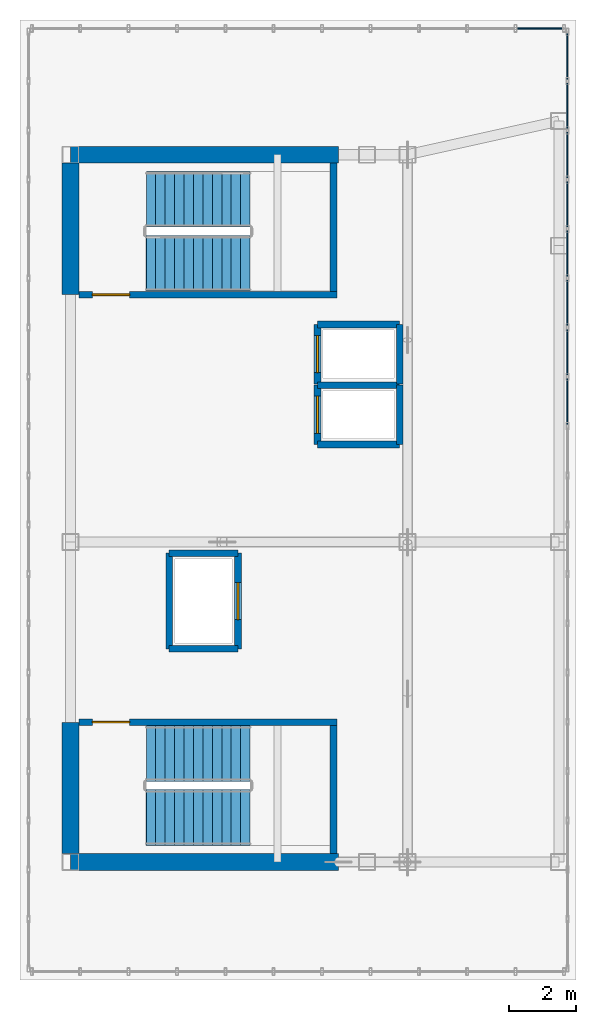
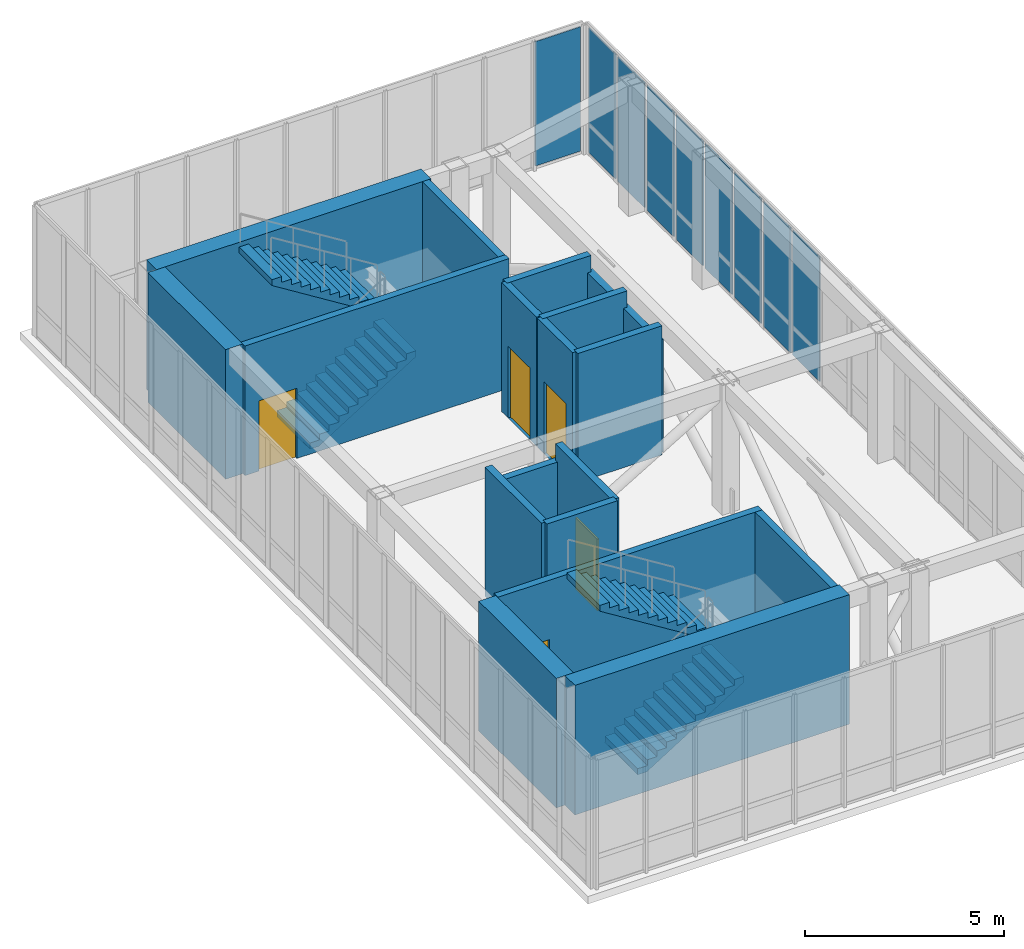
# One storey, part 12 of 13: 19 walls, 9 plates, 5 doors, 4 stair flights, 5 openings, 4 elements without a shape of their own.
"""IFC4 building model written with IfcOpenShell, lengths in metres."""

from ifc_helpers import new_model, si_unit, direction, frame, frame_2d, origin, origin_2d, place, context, subcontext, project, spatial, polyline, rectangle, outline, extrude, source, transform, mapped, material, layer, layer_set, type_object, element, fill, aggregate, save


model = new_model("IFC4")

# Units and contexts
model_context = context("Model", 3, precision=1e-05, world=origin(), true_north=direction((0.0, 1.0)))
body_context = subcontext(model_context, "Body", "Model", "MODEL_VIEW")
ifc_project = project(units=[si_unit("LENGTHUNIT", "METRE"), si_unit("AREAUNIT", "SQUARE_METRE"), si_unit("VOLUMEUNIT", "CUBIC_METRE"), si_unit("PLANEANGLEUNIT", "RADIAN"), si_unit("MASSUNIT", "GRAM", prefix="KILO")], contexts=[model_context])

# Site, building, storey
site_placement = place(None, origin())
site = spatial("IfcSite", under=ifc_project, at=site_placement, CompositionType="ELEMENT")
building_placement = place(site_placement, origin())
building = spatial("IfcBuilding", under=site, at=building_placement, Name="Kharzan Plaza Tower", CompositionType="ELEMENT")
storey_placement = place(building_placement, frame((0.0, 0.0, 294.0)))
storey = spatial("IfcBuildingStorey", under=building, at=storey_placement, Name="L79-CROWN", CompositionType="ELEMENT", Elevation=294.0)

# Curtain wall, plate
ifc_material_1 = material(Name="Unitised Bronze-Anodized Aluminium and Low-E Glass", Category="aluminium")
ifc_layer_1 = layer(ifc_material_1, 0.199951171875)
ifc_layer_set_1 = layer_set([ifc_layer_1], Name="Unitised Bronze-Anodized Aluminium and Low-E Glass")
curtain_wall_type = type_object("IfcCurtainWallType", Name="CW-LANTERN-6", PredefinedType="NOTDEFINED", material=ifc_layer_set_1)
curtain_wall_1_placement = place(storey_placement, origin())
curtain_wall_1 = element("IfcCurtainWall", 1, at=curtain_wall_1_placement, inside=storey, type_object=curtain_wall_type, Name="L79-CROWN Lantern Crown Illuminated Curtain Wall 3", PredefinedType="NOTDEFINED")
ifc_material_2 = material(Name="Low-Iron Fritted Lantern Crown Glazing", Category="glass")
ifc_layer_2 = layer(ifc_material_2, 0.035888671875)
ifc_layer_set_2 = layer_set([ifc_layer_2], Name="Low-Iron Fritted Lantern Crown Glazing")
plate_type = type_object("IfcPlateType", Name="PLT-CW-LANTERN", PredefinedType="CURTAIN_PANEL", material=ifc_layer_set_2)
shared_shape_1 = source(origin(), body_context, "Body", "SweptSolid", [
    extrude(rectangle(XDim=1.31640625, YDim=0.035888671875, at=origin_2d()), origin(), (0.0, 0.0, 1.0), 3.81005859375),
])
plate_1_placement = place(storey_placement, frame((18.431884765625, 33.25, 0.080078125), z_axis=(0.0, 0.0, 1.0), x_axis=(-1.0, 0.0, 0.0)))
plate_1 = element("IfcPlate", 2, at=plate_1_placement, type_object=plate_type, Name="L79-CROWN Curtain-Wall Glazed Panel 00", PredefinedType="CURTAIN_PANEL", context=body_context, shape_type="MappedRepresentation", body=[
    mapped(shared_shape_1, transform((0.0, 0.0, 0.0), x_axis=(1.0, 0.0, 0.0), y_axis=(0.0, 1.0, 0.0), z_axis=(0.0, 0.0, 1.0))),
])
aggregate(curtain_wall_1, [plate_1])

# Curtain wall, plates
curtain_wall_2_placement = place(storey_placement, origin())
curtain_wall_2 = element("IfcCurtainWall", 3, at=curtain_wall_2_placement, inside=storey, type_object=curtain_wall_type, Name="L79-CROWN Lantern Crown Illuminated Curtain Wall 2", PredefinedType="NOTDEFINED")
shared_shape_2 = source(origin(), body_context, "Body", "SweptSolid", [
    extrude(rectangle(XDim=1.34326171875, YDim=0.035888671875, at=origin_2d()), origin(), (0.0, 0.0, 1.0), 3.81005859375),
])
plate_2_placement = place(storey_placement, frame((19.25, 22.17626953125, 0.080078125), z_axis=(0.0, 0.0, 1.0), x_axis=(0.0, 1.0, 0.0)))
plate_2 = element("IfcPlate", 4, at=plate_2_placement, type_object=plate_type, Name="L79-CROWN Curtain-Wall Glazed Panel 11", PredefinedType="CURTAIN_PANEL", context=body_context, shape_type="MappedRepresentation", body=[
    mapped(shared_shape_2, transform((0.0, 0.0, 0.0), x_axis=(1.0, 0.0, 0.0), y_axis=(0.0, 1.0, 0.0), z_axis=(0.0, 0.0, 1.0))),
])
plate_3_placement = place(storey_placement, frame((19.25, 23.639404296875, 0.080078125), z_axis=(0.0, 0.0, 1.0), x_axis=(0.0, 1.0, 0.0)))
plate_3 = element("IfcPlate", 5, at=plate_3_placement, type_object=plate_type, Name="L79-CROWN Curtain-Wall Glazed Panel 12", PredefinedType="CURTAIN_PANEL", context=body_context, shape_type="MappedRepresentation", body=[
    mapped(shared_shape_2, transform((0.0, 0.0, 0.0), x_axis=(1.0, 0.0, 0.0), y_axis=(0.0, 1.0, 0.0), z_axis=(0.0, 0.0, 1.0))),
])
plate_4_placement = place(storey_placement, frame((19.25, 25.1025390625, 0.080078125), z_axis=(0.0, 0.0, 1.0), x_axis=(0.0, 1.0, 0.0)))
plate_4 = element("IfcPlate", 6, at=plate_4_placement, type_object=plate_type, Name="L79-CROWN Curtain-Wall Glazed Panel 13", PredefinedType="CURTAIN_PANEL", context=body_context, shape_type="MappedRepresentation", body=[
    mapped(shared_shape_2, transform((0.0, 0.0, 0.0), x_axis=(1.0, 0.0, 0.0), y_axis=(0.0, 1.0, 0.0), z_axis=(0.0, 0.0, 1.0))),
])
plate_5_placement = place(storey_placement, frame((19.25, 26.56591796875, 0.080078125), z_axis=(0.0, 0.0, 1.0), x_axis=(0.0, 1.0, 0.0)))
plate_5 = element("IfcPlate", 7, at=plate_5_placement, type_object=plate_type, Name="L79-CROWN Curtain-Wall Glazed Panel 14", PredefinedType="CURTAIN_PANEL", context=body_context, shape_type="MappedRepresentation", body=[
    mapped(shared_shape_2, transform((0.0, 0.0, 0.0), x_axis=(1.0, 0.0, 0.0), y_axis=(0.0, 1.0, 0.0), z_axis=(0.0, 0.0, 1.0))),
])
plate_6_placement = place(storey_placement, frame((19.25, 28.02880859375, 0.080078125), z_axis=(0.0, 0.0, 1.0), x_axis=(0.0, 1.0, 0.0)))
plate_6 = element("IfcPlate", 8, at=plate_6_placement, type_object=plate_type, Name="L79-CROWN Curtain-Wall Glazed Panel 15", PredefinedType="CURTAIN_PANEL", context=body_context, shape_type="MappedRepresentation", body=[
    mapped(shared_shape_2, transform((0.0, 0.0, 0.0), x_axis=(1.0, 0.0, 0.0), y_axis=(0.0, 1.0, 0.0), z_axis=(0.0, 0.0, 1.0))),
])
plate_7_placement = place(storey_placement, frame((19.25, 29.4921875, 0.080078125), z_axis=(0.0, 0.0, 1.0), x_axis=(0.0, 1.0, 0.0)))
plate_7 = element("IfcPlate", 9, at=plate_7_placement, type_object=plate_type, Name="L79-CROWN Curtain-Wall Glazed Panel 16", PredefinedType="CURTAIN_PANEL", context=body_context, shape_type="MappedRepresentation", body=[
    mapped(shared_shape_2, transform((0.0, 0.0, 0.0), x_axis=(1.0, 0.0, 0.0), y_axis=(0.0, 1.0, 0.0), z_axis=(0.0, 0.0, 1.0))),
])
plate_8_placement = place(storey_placement, frame((19.25, 30.955322265625, 0.080078125), z_axis=(0.0, 0.0, 1.0), x_axis=(0.0, 1.0, 0.0)))
plate_8 = element("IfcPlate", 10, at=plate_8_placement, type_object=plate_type, Name="L79-CROWN Curtain-Wall Glazed Panel 17", PredefinedType="CURTAIN_PANEL", context=body_context, shape_type="MappedRepresentation", body=[
    mapped(shared_shape_2, transform((0.0, 0.0, 0.0), x_axis=(1.0, 0.0, 0.0), y_axis=(0.0, 1.0, 0.0), z_axis=(0.0, 0.0, 1.0))),
])
plate_9_placement = place(storey_placement, frame((19.25, 32.41845703125, 0.080078125), z_axis=(0.0, 0.0, 1.0), x_axis=(0.0, 1.0, 0.0)))
plate_9 = element("IfcPlate", 11, at=plate_9_placement, type_object=plate_type, Name="L79-CROWN Curtain-Wall Glazed Panel 18", PredefinedType="CURTAIN_PANEL", context=body_context, shape_type="MappedRepresentation", body=[
    mapped(shared_shape_2, transform((0.0, 0.0, 0.0), x_axis=(1.0, 0.0, 0.0), y_axis=(0.0, 1.0, 0.0), z_axis=(0.0, 0.0, 1.0))),
])
aggregate(curtain_wall_2, [plate_2, plate_3, plate_4, plate_5, plate_6, plate_7, plate_8, plate_9])

# Wall, opening, door
ifc_material_3 = material(Name="Concrete C40/50", Category="concrete")
ifc_layer_3 = layer(ifc_material_3, 0.199951171875)
ifc_layer_set_3 = layer_set([ifc_layer_3], Name="Concrete C40/50")
wall_type_1 = type_object("IfcWallType", Name="WL-INT-SHAFT-200", PredefinedType="PARTITIONING", material=ifc_layer_set_3)
wall_1_placement = place(storey_placement, frame((11.830078125, 20.89990234375, 0.0), z_axis=(0.0, 0.0, 1.0), x_axis=(0.0, 1.0, 0.0)))
wall_1 = element("IfcWall", 12, at=wall_1_placement, inside=storey, type_object=wall_type_1, Name="L79-CROWN Interior Partition SHF-FFL-1-W", PredefinedType="PARTITIONING", context=body_context, shape_type="SweptSolid", body=[
    extrude(rectangle(XDim=1.760009765625, YDim=0.199951171875, at=frame_2d((0.8798828125, 0.0))), origin(), (0.0, 0.0, 1.0), 3.955078125),
])
opening_1_placement = place(wall_1_placement, frame((0.330078125, 0.0, 0.0)))
opening_1 = element("IfcOpeningElement", 13, at=opening_1_placement, cuts=wall_1, Name="Opening LD", PredefinedType="OPENING", context=body_context, shape_type="SweptSolid", body=[
    extrude(rectangle(XDim=1.10009765625, YDim=2.199951171875, at=frame_2d((0.550048828125, 1.10009765625))), frame((0.0, 0.10986328125, 0.0), z_axis=(0.0, -1.0, 0.0), x_axis=(1.0, 0.0, 0.0)), (0.0, 0.0, 1.0), 0.219970703125),
])
ifc_material_4 = material(Name="Brushed Stainless Steel", Category="steel")
door_type_1 = type_object("IfcDoorType", Name="DR-LIFT-SLIDE", OperationType="SLIDING_TO_LEFT", PredefinedType="DOOR", material=ifc_material_4)
shared_shape_3 = source(origin(), body_context, "Body", "SweptSolid", [
    extrude(rectangle(XDim=1.10009765625, YDim=2.199951171875, at=frame_2d((0.550048828125, 1.10009765625))), frame((0.0, 0.02490234375, 0.0), z_axis=(0.0, -1.0, 0.0), x_axis=(1.0, 0.0, 0.0)), (0.0, 0.0, 1.0), 0.050048828125),
])
door_1_placement = place(opening_1_placement, origin())
door_1 = element("IfcDoor", 14, at=door_1_placement, inside=storey, type_object=door_type_1, Name="L79-CROWN Firefighting Lift FFL-1 Sliding Landing Door", OperationType="SLIDING_TO_LEFT", OverallHeight=2.199951171875, OverallWidth=1.10009765625, PredefinedType="DOOR", context=body_context, shape_type="MappedRepresentation", body=[
    mapped(shared_shape_3, transform((0.0, 0.0, 0.0), x_axis=(1.0, 0.0, 0.0), y_axis=(0.0, 1.0, 0.0), z_axis=(0.0, 0.0, 1.0))),
])
fill(opening_1, door_1)

wall_2_placement = place(storey_placement, frame((11.830078125, 22.699951171875, 0.0), z_axis=(0.0, 0.0, 1.0), x_axis=(0.0, 1.0, 0.0)))
wall_2 = element("IfcWall", 15, at=wall_2_placement, inside=storey, type_object=wall_type_1, Name="L79-CROWN Interior Partition SHF-FFL-2-W", PredefinedType="PARTITIONING", context=body_context, shape_type="SweptSolid", body=[
    extrude(rectangle(XDim=1.760009765625, YDim=0.199951171875, at=frame_2d((0.8798828125, 0.0))), origin(), (0.0, 0.0, 1.0), 3.955078125),
])
opening_2_placement = place(wall_2_placement, frame((0.330078125, 0.0, 0.0)))
opening_2 = element("IfcOpeningElement", 16, at=opening_2_placement, cuts=wall_2, Name="Opening LD", PredefinedType="OPENING", context=body_context, shape_type="SweptSolid", body=[
    extrude(rectangle(XDim=1.10009765625, YDim=2.199951171875, at=frame_2d((0.550048828125, 1.10009765625))), frame((0.0, 0.10986328125, 0.0), z_axis=(0.0, -1.0, 0.0), x_axis=(1.0, 0.0, 0.0)), (0.0, 0.0, 1.0), 0.219970703125),
])
door_2_placement = place(opening_2_placement, origin())
door_2 = element("IfcDoor", 17, at=door_2_placement, inside=storey, type_object=door_type_1, Name="L79-CROWN Firefighting Lift FFL-2 Sliding Landing Door", OperationType="SLIDING_TO_LEFT", OverallHeight=2.199951171875, OverallWidth=1.10009765625, PredefinedType="DOOR", context=body_context, shape_type="MappedRepresentation", body=[
    mapped(shared_shape_3, transform((0.0, 0.0, 0.0), x_axis=(1.0, 0.0, 0.0), y_axis=(0.0, 1.0, 0.0), z_axis=(0.0, 0.0, 1.0))),
])
fill(opening_2, door_2)

wall_3_placement = place(storey_placement, frame((9.469970703125, 14.830078125, 0.0), z_axis=(0.0, 0.0, 1.0), x_axis=(0.0, 1.0, 0.0)))
wall_3 = element("IfcWall", 18, at=wall_3_placement, inside=storey, type_object=wall_type_1, Name="L79-CROWN Interior Partition SHF-SVL-1-E", PredefinedType="PARTITIONING", context=body_context, shape_type="SweptSolid", body=[
    extrude(rectangle(XDim=2.83984375, YDim=0.199951171875, at=frame_2d((1.419921875, 0.0))), origin(), (0.0, 0.0, 1.0), 3.955078125),
])
opening_3_placement = place(wall_3_placement, frame((0.8701171875, 0.0, 0.0)))
opening_3 = element("IfcOpeningElement", 19, at=opening_3_placement, cuts=wall_3, Name="Opening LD", PredefinedType="OPENING", context=body_context, shape_type="SweptSolid", body=[
    extrude(rectangle(XDim=1.10009765625, YDim=2.199951171875, at=frame_2d((0.550048828125, 1.10009765625))), frame((0.0, 0.10986328125, 0.0), z_axis=(0.0, -1.0, 0.0), x_axis=(1.0, 0.0, 0.0)), (0.0, 0.0, 1.0), 0.219970703125),
])
door_3_placement = place(opening_3_placement, origin())
door_3 = element("IfcDoor", 20, at=door_3_placement, inside=storey, type_object=door_type_1, Name="L79-CROWN Service Lift SVL-1 Sliding Landing Door", OperationType="SLIDING_TO_LEFT", OverallHeight=2.199951171875, OverallWidth=1.10009765625, PredefinedType="DOOR", context=body_context, shape_type="MappedRepresentation", body=[
    mapped(shared_shape_3, transform((0.0, 0.0, 0.0), x_axis=(1.0, 0.0, 0.0), y_axis=(0.0, 1.0, 0.0), z_axis=(0.0, 0.0, 1.0))),
])
fill(opening_3, door_3)

ifc_material_5 = material(Name="Concrete C50/60", Category="concrete")
ifc_layer_4 = layer(ifc_material_5, 0.199951171875)
ifc_layer_set_4 = layer_set([ifc_layer_4], Name="Concrete C50/60")
wall_type_2 = type_object("IfcWallType", Name="WL-SHAFT-RC200", PredefinedType="SHEAR", material=ifc_layer_set_4)
wall_4_placement = place(storey_placement, frame((4.751953125, 12.655029296875, 0.0), z_axis=(0.0, 0.0, 1.0), x_axis=(1.0, 0.0, 0.0)))
wall_4 = element("IfcWall", 21, at=wall_4_placement, inside=storey, type_object=wall_type_2, Name="L79-CROWN Stair ST-1 North RC Shaft Wall", PredefinedType="SHEAR", context=body_context, shape_type="SweptSolid", body=[
    extrude(rectangle(XDim=7.653076171875, YDim=0.199951171875, at=frame_2d((3.82666015625, 0.0))), origin(), (0.0, 0.0, 1.0), 3.969970703125),
])
opening_4_placement = place(wall_4_placement, frame((0.39990234375, 0.0, 0.0)))
opening_4 = element("IfcOpeningElement", 22, at=opening_4_placement, cuts=wall_4, Name="Opening SD1", PredefinedType="OPENING", context=body_context, shape_type="SweptSolid", body=[
    extrude(rectangle(XDim=1.10009765625, YDim=2.14990234375, at=frame_2d((0.550048828125, 1.074951171875))), frame((0.0, 0.10986328125, 0.0), z_axis=(0.0, -1.0, 0.0), x_axis=(1.0, 0.0, 0.0)), (0.0, 0.0, 1.0), 0.219970703125),
])
ifc_material_6 = material(Name="Fire-Rated Hollow Galvanized Steel", Category="steel")
door_type_2 = type_object("IfcDoorType", Name="DR-STAIR-FD120", OperationType="NOTDEFINED", PredefinedType="DOOR", material=ifc_material_6)
shared_shape_4 = source(origin(), body_context, "Body", "SweptSolid", [
    extrude(rectangle(XDim=1.10009765625, YDim=2.14990234375, at=frame_2d((0.550048828125, 1.074951171875))), frame((0.0, 0.02490234375, 0.0), z_axis=(0.0, -1.0, 0.0), x_axis=(1.0, 0.0, 0.0)), (0.0, 0.0, 1.0), 0.050048828125),
])
door_4_placement = place(opening_4_placement, origin())
door_4 = element("IfcDoor", 23, at=door_4_placement, inside=storey, type_object=door_type_2, Name="L79-CROWN Stair ST-1 Fire Exit Door", OperationType="SINGLE_SWING_RIGHT", OverallHeight=2.14990234375, OverallWidth=1.10009765625, PredefinedType="DOOR", context=body_context, shape_type="MappedRepresentation", body=[
    mapped(shared_shape_4, transform((0.0, 0.0, 0.0), x_axis=(1.0, 0.0, 0.0), y_axis=(0.0, 1.0, 0.0), z_axis=(0.0, 0.0, 1.0))),
])
fill(opening_4, door_4)

wall_5_placement = place(storey_placement, frame((4.751953125, 25.344970703125, 0.0), z_axis=(0.0, 0.0, 1.0), x_axis=(1.0, 0.0, 0.0)))
wall_5 = element("IfcWall", 24, at=wall_5_placement, inside=storey, type_object=wall_type_2, Name="L79-CROWN Stair ST-2 South RC Shaft Wall", PredefinedType="SHEAR", context=body_context, shape_type="SweptSolid", body=[
    extrude(rectangle(XDim=7.653076171875, YDim=0.199951171875, at=frame_2d((3.82666015625, 0.0))), origin(), (0.0, 0.0, 1.0), 3.969970703125),
])
opening_5_placement = place(wall_5_placement, frame((0.39990234375, 0.0, 0.0)))
opening_5 = element("IfcOpeningElement", 25, at=opening_5_placement, cuts=wall_5, Name="Opening SD1", PredefinedType="OPENING", context=body_context, shape_type="SweptSolid", body=[
    extrude(rectangle(XDim=1.10009765625, YDim=2.14990234375, at=frame_2d((0.550048828125, 1.074951171875))), frame((0.0, 0.10986328125, 0.0), z_axis=(0.0, -1.0, 0.0), x_axis=(1.0, 0.0, 0.0)), (0.0, 0.0, 1.0), 0.219970703125),
])
door_5_placement = place(opening_5_placement, origin())
door_5 = element("IfcDoor", 26, at=door_5_placement, inside=storey, type_object=door_type_2, Name="L79-CROWN Stair ST-2 Fire Exit Door", OperationType="SINGLE_SWING_LEFT", OverallHeight=2.14990234375, OverallWidth=1.10009765625, PredefinedType="DOOR", context=body_context, shape_type="MappedRepresentation", body=[
    mapped(shared_shape_4, transform((0.0, 0.0, 0.0), x_axis=(1.0, 0.0, 0.0), y_axis=(0.0, 1.0, 0.0), z_axis=(0.0, 0.0, 1.0))),
])
fill(opening_5, door_5)

# Walls
ifc_layer_5 = layer(ifc_material_5, 0.5)
ifc_layer_set_5 = layer_set([ifc_layer_5], Name="Concrete C50/60")
wall_type_3 = type_object("IfcWallType", Name="WL-CORE-500", PredefinedType="SHEAR", material=ifc_layer_set_5)
shared_shape_5 = source(origin(), body_context, "Body", "SweptSolid", [
    extrude(rectangle(XDim=7.949951171875, YDim=0.5, at=frame_2d((3.97509765625, 0.0))), origin(), (0.0, 0.0, 1.0), 3.969970703125),
])
for number, where, z_axis, x_axis, name in (
    (27, (4.5, 8.5, 0.0), (0.0, 0.0, 1.0), (1.0, 0.0, 0.0), "L79-CROWN Stair ST-1 South RC Shear Wall"),
    (28, (4.5, 29.5, 0.0), (0.0, 0.0, 1.0), (1.0, 0.0, 0.0), "L79-CROWN Stair ST-2 North RC Shear Wall"),
):
    element("IfcWall", number, at=place(storey_placement, frame(where, z_axis=z_axis, x_axis=x_axis)), inside=storey, type_object=wall_type_3, Name=name, PredefinedType="SHEAR", context=body_context, shape_type="MappedRepresentation", body=[
        mapped(shared_shape_5, transform((0.0, 0.0, 0.0), x_axis=(1.0, 0.0, 0.0), y_axis=(0.0, 1.0, 0.0), z_axis=(0.0, 0.0, 1.0))),
    ])
shared_shape_6 = source(origin(), body_context, "Body", "SweptSolid", [
    extrude(rectangle(XDim=3.89990234375, YDim=0.5, at=frame_2d((1.949951171875, 0.0))), origin(), (0.0, 0.0, 1.0), 3.969970703125),
])
for number, where, z_axis, x_axis, name in (
    (29, (4.5, 8.75, 0.0), (0.0, 0.0, 1.0), (0.0, 1.0, 0.0), "L79-CROWN Stair ST-1 West RC Shear Wall"),
    (30, (4.5, 25.35009765625, 0.0), (0.0, 0.0, 1.0), (0.0, 1.0, 0.0), "L79-CROWN Stair ST-2 West RC Shear Wall"),
):
    element("IfcWall", number, at=place(storey_placement, frame(where, z_axis=z_axis, x_axis=x_axis)), inside=storey, type_object=wall_type_3, Name=name, PredefinedType="SHEAR", context=body_context, shape_type="MappedRepresentation", body=[
        mapped(shared_shape_6, transform((0.0, 0.0, 0.0), x_axis=(1.0, 0.0, 0.0), y_axis=(0.0, 1.0, 0.0), z_axis=(0.0, 0.0, 1.0))),
    ])
shared_shape_7 = source(origin(), body_context, "Body", "SweptSolid", [
    extrude(rectangle(XDim=1.760009765625, YDim=0.199951171875, at=frame_2d((0.8798828125, 0.0))), origin(), (0.0, 0.0, 1.0), 3.455078125),
])
for number, where, z_axis, x_axis, name in (
    (31, (14.27001953125, 20.89990234375, 0.0), (0.0, 0.0, 1.0), (0.0, 1.0, 0.0), "L79-CROWN Interior Partition SHF-FFL-1-E"),
    (32, (14.27001953125, 22.699951171875, 0.0), (0.0, 0.0, 1.0), (0.0, 1.0, 0.0), "L79-CROWN Interior Partition SHF-FFL-2-E"),
):
    element("IfcWall", number, at=place(storey_placement, frame(where, z_axis=z_axis, x_axis=x_axis)), inside=storey, type_object=wall_type_1, Name=name, PredefinedType="PARTITIONING", context=body_context, shape_type="MappedRepresentation", body=[
        mapped(shared_shape_7, transform((0.0, 0.0, 0.0), x_axis=(1.0, 0.0, 0.0), y_axis=(0.0, 1.0, 0.0), z_axis=(0.0, 0.0, 1.0))),
    ])
shared_shape_8 = source(origin(), body_context, "Body", "SweptSolid", [
    extrude(rectangle(XDim=2.43994140625, YDim=0.199951171875, at=frame_2d((1.219970703125, 0.0))), origin(), (0.0, 0.0, 1.0), 3.955078125),
])
for number, where, z_axis, x_axis, name in (
    (33, (11.830078125, 22.659912109375, 0.0), (0.0, 0.0, 1.0), (1.0, 0.0, 0.0), "L79-CROWN Interior Partition SHF-FFL-1-N"),
    (34, (11.830078125, 20.89990234375, 0.0), (0.0, 0.0, 1.0), (1.0, 0.0, 0.0), "L79-CROWN Interior Partition SHF-FFL-1-S"),
    (35, (11.830078125, 24.4599609375, 0.0), (0.0, 0.0, 1.0), (1.0, 0.0, 0.0), "L79-CROWN Interior Partition SHF-FFL-2-N"),
):
    element("IfcWall", number, at=place(storey_placement, frame(where, z_axis=z_axis, x_axis=x_axis)), inside=storey, type_object=wall_type_1, Name=name, PredefinedType="PARTITIONING", context=body_context, shape_type="MappedRepresentation", body=[
        mapped(shared_shape_8, transform((0.0, 0.0, 0.0), x_axis=(1.0, 0.0, 0.0), y_axis=(0.0, 1.0, 0.0), z_axis=(0.0, 0.0, 1.0))),
    ])
shared_shape_9 = source(origin(), body_context, "Body", "SweptSolid", [
    extrude(rectangle(XDim=2.0400390625, YDim=0.199951171875, at=frame_2d((1.02001953125, 0.0))), origin(), (0.0, 0.0, 1.0), 3.455078125),
])
wall_6_placement = place(storey_placement, frame((7.429931640625, 17.669921875, 0.0), z_axis=(0.0, 0.0, 1.0), x_axis=(1.0, 0.0, 0.0)))
element("IfcWall", 36, at=wall_6_placement, inside=storey, type_object=wall_type_1, Name="L79-CROWN Interior Partition SHF-SVL-1-N", PredefinedType="PARTITIONING", context=body_context, shape_type="MappedRepresentation", body=[
    mapped(shared_shape_9, transform((0.0, 0.0, 0.0), x_axis=(1.0, 0.0, 0.0), y_axis=(0.0, 1.0, 0.0), z_axis=(0.0, 0.0, 1.0))),
])
shared_shape_10 = source(origin(), body_context, "Body", "SweptSolid", [
    extrude(rectangle(XDim=2.0400390625, YDim=0.199951171875, at=frame_2d((1.02001953125, 0.0))), origin(), (0.0, 0.0, 1.0), 3.955078125),
])
wall_7_placement = place(storey_placement, frame((7.429931640625, 14.830078125, 0.0), z_axis=(0.0, 0.0, 1.0), x_axis=(1.0, 0.0, 0.0)))
element("IfcWall", 37, at=wall_7_placement, inside=storey, type_object=wall_type_1, Name="L79-CROWN Interior Partition SHF-SVL-1-S", PredefinedType="PARTITIONING", context=body_context, shape_type="MappedRepresentation", body=[
    mapped(shared_shape_10, transform((0.0, 0.0, 0.0), x_axis=(1.0, 0.0, 0.0), y_axis=(0.0, 1.0, 0.0), z_axis=(0.0, 0.0, 1.0))),
])
shared_shape_11 = source(origin(), body_context, "Body", "SweptSolid", [
    extrude(rectangle(XDim=2.83984375, YDim=0.199951171875, at=frame_2d((1.419921875, 0.0))), origin(), (0.0, 0.0, 1.0), 3.955078125),
])
wall_8_placement = place(storey_placement, frame((7.429931640625, 14.830078125, 0.0), z_axis=(0.0, 0.0, 1.0), x_axis=(0.0, 1.0, 0.0)))
element("IfcWall", 38, at=wall_8_placement, inside=storey, type_object=wall_type_1, Name="L79-CROWN Interior Partition SHF-SVL-1-W", PredefinedType="PARTITIONING", context=body_context, shape_type="MappedRepresentation", body=[
    mapped(shared_shape_11, transform((0.0, 0.0, 0.0), x_axis=(1.0, 0.0, 0.0), y_axis=(0.0, 1.0, 0.0), z_axis=(0.0, 0.0, 1.0))),
])
shared_shape_12 = source(origin(), body_context, "Body", "SweptSolid", [
    extrude(rectangle(XDim=3.802978515625, YDim=0.199951171875, at=frame_2d((1.9013671875, 0.0))), origin(), (0.0, 0.0, 1.0), 3.969970703125),
])
for number, where, z_axis, x_axis, name in (
    (39, (12.304931640625, 8.751953125, 0.0), (0.0, 0.0, 1.0), (0.0, 1.0, 0.0), "L79-CROWN Stair ST-1 East RC Shaft Wall"),
    (40, (12.304931640625, 25.445068359375, 0.0), (0.0, 0.0, 1.0), (0.0, 1.0, 0.0), "L79-CROWN Stair ST-2 East RC Shaft Wall"),
):
    element("IfcWall", number, at=place(storey_placement, frame(where, z_axis=z_axis, x_axis=x_axis)), inside=storey, type_object=wall_type_2, Name=name, PredefinedType="SHEAR", context=body_context, shape_type="MappedRepresentation", body=[
        mapped(shared_shape_12, transform((0.0, 0.0, 0.0), x_axis=(1.0, 0.0, 0.0), y_axis=(0.0, 1.0, 0.0), z_axis=(0.0, 0.0, 1.0))),
    ])

# Stair, stair flights
stair_type_1 = type_object("IfcStairType", Name="STR-ST-1", PredefinedType="HALF_TURN_STAIR", material=ifc_material_3)
stair_1_placement = place(storey_placement, origin())
stair_1 = element("IfcStair", 41, at=stair_1_placement, inside=storey, type_object=stair_type_1, Name="L79-CROWN Protected Exit Stair ST-1", PredefinedType="HALF_TURN_STAIR")
stair_flight_type = type_object("IfcStairFlightType", Name="SFL-1650-R173", PredefinedType="STRAIGHT", material=ifc_material_3)
shared_shape_13 = source(origin(), body_context, "Body", "SweptSolid", [
    extrude(outline(polyline([(-0.0029296875, -0.011962890625), (-0.0029296875, 0.0), (0.0, 0.0), (0.0, 0.175048828125), (0.280029296875, 0.175048828125), (0.280029296875, 0.35009765625), (0.56005859375, 0.35009765625), (0.56005859375, 0.525146484375), (0.840087890625, 0.525146484375), (0.840087890625, 0.7001953125), (1.1201171875, 0.7001953125), (1.1201171875, 0.875244140625), (1.400146484375, 0.875244140625), (1.400146484375, 1.05029296875), (1.68017578125, 1.05029296875), (1.68017578125, 1.225341796875), (1.960205078125, 1.225341796875), (1.960205078125, 1.400390625), (2.240234375, 1.400390625), (2.240234375, 1.575439453125), (2.520263671875, 1.575439453125), (2.520263671875, 1.75048828125), (2.80029296875, 1.75048828125), (2.80029296875, 1.925537109375), (3.080322265625, 1.925537109375), (3.080322265625, 2.1005859375), (3.080322265625, 1.748779296875), (0.28271484375, 0.0), (0.28271484375, -0.011962890625), (-0.0029296875, -0.011962890625)])), frame((0.0, 0.824951171875, 0.0), z_axis=(0.0, -1.0, 0.0), x_axis=(1.0, 0.0, 0.0)), (0.0, 0.0, 1.0), 1.64990234375),
])
stair_flight_1_placement = place(storey_placement, frame((6.75, 9.824951171875, 0.0), z_axis=(0.0, 0.0, 1.0), x_axis=(1.0, 0.0, 0.0)))
stair_flight_1 = element("IfcStairFlight", 42, at=stair_flight_1_placement, type_object=stair_flight_type, Name="ST-1 flight 1", NumberOfRisers=12, NumberOfTreads=11, PredefinedType="STRAIGHT", RiserHeight=0.175, TreadLength=0.28, context=body_context, shape_type="MappedRepresentation", body=[
    mapped(shared_shape_13, transform((0.0, 0.0, 0.0), x_axis=(1.0, 0.0, 0.0), y_axis=(0.0, 1.0, 0.0), z_axis=(0.0, 0.0, 1.0))),
])
stair_flight_2_placement = place(storey_placement, frame((9.830078125, 11.72509765625, 2.10009765625), z_axis=(0.0, 0.0, 1.0), x_axis=(-1.0, 0.0, 0.0)))
stair_flight_2 = element("IfcStairFlight", 43, at=stair_flight_2_placement, type_object=stair_flight_type, Name="ST-1 flight 2", NumberOfRisers=12, NumberOfTreads=11, PredefinedType="STRAIGHT", RiserHeight=0.175, TreadLength=0.28, context=body_context, shape_type="MappedRepresentation", body=[
    mapped(shared_shape_13, transform((0.0, 0.0, 0.0), x_axis=(1.0, 0.0, 0.0), y_axis=(0.0, 1.0, 0.0), z_axis=(0.0, 0.0, 1.0))),
])
aggregate(stair_1, [stair_flight_1, stair_flight_2])

stair_type_2 = type_object("IfcStairType", Name="STR-ST-2", PredefinedType="HALF_TURN_STAIR", material=ifc_material_3)
stair_2_placement = place(storey_placement, origin())
stair_2 = element("IfcStair", 44, at=stair_2_placement, inside=storey, type_object=stair_type_2, Name="L79-CROWN Protected Exit Stair ST-2", PredefinedType="HALF_TURN_STAIR")
stair_flight_3_placement = place(storey_placement, frame((6.75, 26.27490234375, 0.0), z_axis=(0.0, 0.0, 1.0), x_axis=(1.0, 0.0, 0.0)))
stair_flight_3 = element("IfcStairFlight", 45, at=stair_flight_3_placement, type_object=stair_flight_type, Name="ST-2 flight 1", NumberOfRisers=12, NumberOfTreads=11, PredefinedType="STRAIGHT", RiserHeight=0.175, TreadLength=0.28, context=body_context, shape_type="MappedRepresentation", body=[
    mapped(shared_shape_13, transform((0.0, 0.0, 0.0), x_axis=(1.0, 0.0, 0.0), y_axis=(0.0, 1.0, 0.0), z_axis=(0.0, 0.0, 1.0))),
])
stair_flight_4_placement = place(storey_placement, frame((9.830078125, 28.175048828125, 2.10009765625), z_axis=(0.0, 0.0, 1.0), x_axis=(-1.0, 0.0, 0.0)))
stair_flight_4 = element("IfcStairFlight", 46, at=stair_flight_4_placement, type_object=stair_flight_type, Name="ST-2 flight 2", NumberOfRisers=12, NumberOfTreads=11, PredefinedType="STRAIGHT", RiserHeight=0.175, TreadLength=0.28, context=body_context, shape_type="MappedRepresentation", body=[
    mapped(shared_shape_13, transform((0.0, 0.0, 0.0), x_axis=(1.0, 0.0, 0.0), y_axis=(0.0, 1.0, 0.0), z_axis=(0.0, 0.0, 1.0))),
])
aggregate(stair_2, [stair_flight_3, stair_flight_4])

save(model, "model.ifc")
